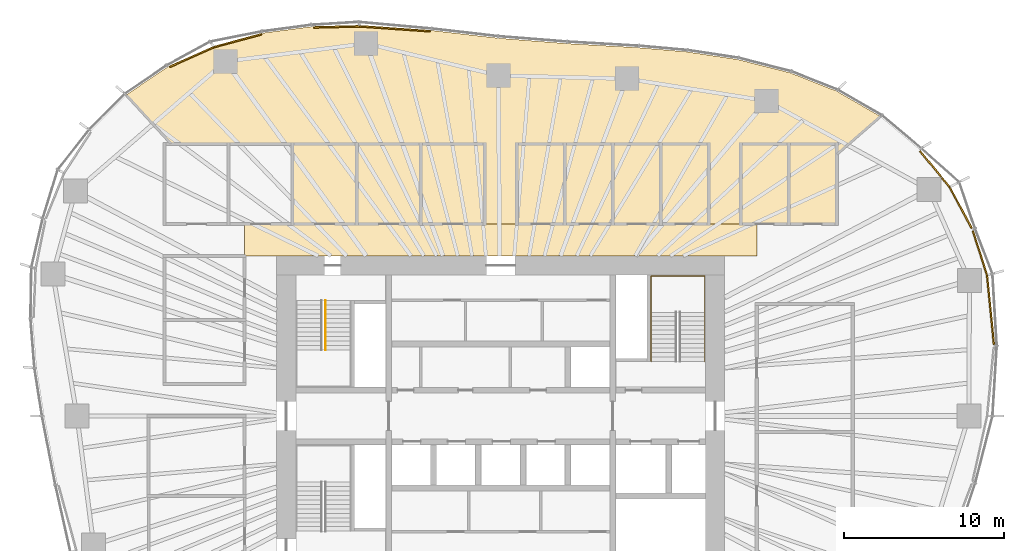
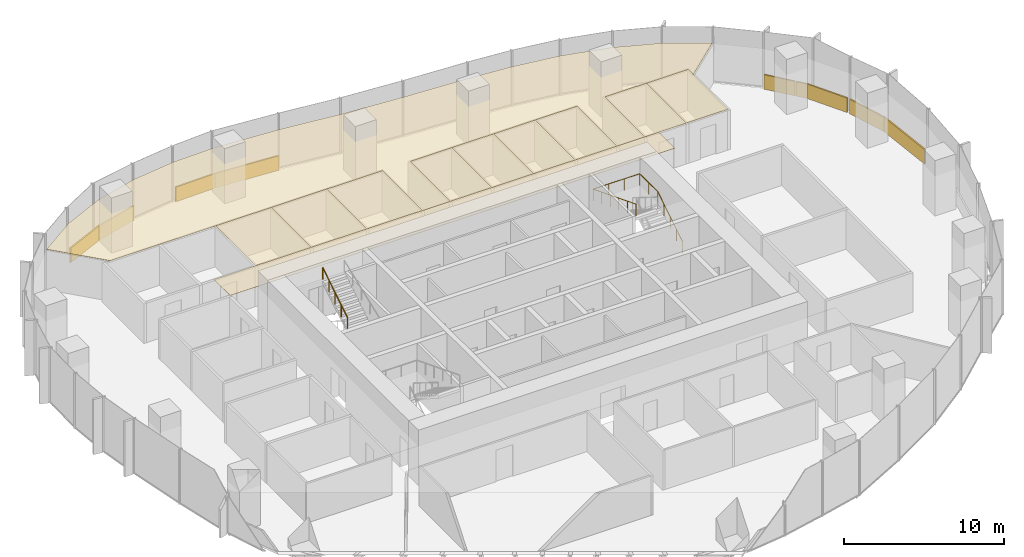
# One storey, part 18 of 18: 20 coverings, 2 railings.
"""IFC4 building model written with IfcOpenShell, lengths in metres."""

import ifcopenshell
import ifcopenshell.guid

model = None  # the IFC model being written
_history = None  # IfcOwnerHistory: only IFC2X3 demands one
_inside = {}  # id of a spatial element -> (the spatial element, [elements in it])
_under = {}  # id of a project, library or spatial element -> (it, [spatial elements below it])
_declared = {}  # id of a project -> (the project, [libraries it declares])
_typed = {}  # id of a type object -> (the type object, [elements of that type])
_made_of = {}  # id of a material, layer set ... -> (it, [elements and type objects made of it])


def new_model(schema):
    """Start an empty IFC model of exactly this schema.

    Asked for "IFC4X3", IfcOpenShell would pick the latest addendum, in which some entities
    have other attributes; the version numbers below select the first issue.
    IFC2X3 requires an IfcOwnerHistory on every rooted entity: one is made here for all.
    """
    global model, _history
    if schema == "IFC4X3":
        model = ifcopenshell.file(schema_version=(4, 3, 0, 0))
    else:
        model = ifcopenshell.file(schema=schema)
    _inside.clear()
    _under.clear()
    _declared.clear()
    _typed.clear()
    _made_of.clear()
    _history = None
    if model.schema == "IFC2X3":
        org = make("IfcOrganization", Name="unknown")
        user = make(
            "IfcPersonAndOrganization",
            ThePerson=make("IfcPerson", FamilyName="unknown"),
            TheOrganization=org,
        )
        app = make(
            "IfcApplication",
            ApplicationDeveloper=org,
            Version="unknown",
            ApplicationFullName="unknown",
            ApplicationIdentifier="unknown",
        )
        _history = make(
            "IfcOwnerHistory",
            OwningUser=user,
            OwningApplication=app,
            ChangeAction="ADDED",
            CreationDate=0,
        )
    return model


def make(cls, **values):
    """One entity of the class cls with the attributes given. An attribute that is None is left unset."""
    return model.create_entity(
        cls, **{name: value for name, value in values.items() if value is not None}
    )


def rooted(cls, **values):
    """An entity with a GlobalId (a new one), such as an element, a storey or a relation."""
    return make(cls, GlobalId=ifcopenshell.guid.new(), OwnerHistory=_history, **values)


def si_unit(unit_type, name, prefix=None):
    """IfcSIUnit, for example si_unit("LENGTHUNIT", "METRE", prefix="MILLI")."""
    return make("IfcSIUnit", UnitType=unit_type, Prefix=prefix, Name=name)


def assignment(units):
    """IfcUnitAssignment: the units of a project."""
    return None if units is None else make("IfcUnitAssignment", Units=units)


def point(xyz):
    """IfcCartesianPoint."""
    return None if xyz is None else make("IfcCartesianPoint", Coordinates=xyz)


def direction(xyz):
    """IfcDirection."""
    return None if xyz is None else make("IfcDirection", DirectionRatios=xyz)


def frame(location, z_axis=None, x_axis=None):
    """IfcAxis2Placement3D, a coordinate frame: its origin and axes. An axis left out is left unset."""
    return make(
        "IfcAxis2Placement3D",
        Location=point(location),
        Axis=direction(z_axis),
        RefDirection=direction(x_axis),
    )


def frame_2d(location, x_axis=None):
    """IfcAxis2Placement2D, a coordinate frame in the plane: its origin and x axis."""
    return make(
        "IfcAxis2Placement2D", Location=point(location), RefDirection=direction(x_axis)
    )


def origin():
    """The frame at (0, 0, 0) with its axes left unset."""
    return frame((0.0, 0.0, 0.0))


def origin_2d():
    """The frame at (0, 0) in the plane with its x axis left unset."""
    return frame_2d((0.0, 0.0))


def place(relative_to, where):
    """IfcLocalPlacement: puts the frame where relative to a parent placement (None: the world)."""
    return make(
        "IfcLocalPlacement", PlacementRelTo=relative_to, RelativePlacement=where
    )


def context(
    kind, dimensions, precision=None, world=None, true_north=None, identifier=None
):
    """IfcGeometricRepresentationContext, for example the 3D "Model" context."""
    return make(
        "IfcGeometricRepresentationContext",
        ContextIdentifier=identifier,
        ContextType=kind,
        CoordinateSpaceDimension=dimensions,
        Precision=precision,
        WorldCoordinateSystem=world,
        TrueNorth=true_north,
    )


def subcontext(parent, identifier, kind, view, scale=None):
    """IfcGeometricRepresentationSubContext, for example "Body" below "Model"."""
    return make(
        "IfcGeometricRepresentationSubContext",
        ContextIdentifier=identifier,
        ContextType=kind,
        ParentContext=parent,
        TargetScale=scale,
        TargetView=view,
    )


def project(units=None, contexts=None):
    """IfcProject with its units and contexts."""
    return rooted(
        "IfcProject",
        Name="project",
        RepresentationContexts=contexts,
        UnitsInContext=assignment(units),
    )


def spatial(cls, under=None, at=None, **own):
    """A site, building, storey or space (cls), placed at a placement, below another one or the project."""
    s = rooted(cls, ObjectPlacement=at, **own)
    if under is not None:
        _under.setdefault(under.id(), (under, []))[1].append(s)
    return s


def polyline(points):
    """IfcPolyline through the points."""
    return make("IfcPolyline", Points=[point(p) for p in points])


def profile(cls, at=None, kind="AREA", **sizes):
    """A parametric profile (cls). Its sizes go by their IFC names, for example OverallWidth=200.0."""
    return make(cls, ProfileType=kind, Position=at, **sizes)


def rectangle(**sizes):
    """IfcRectangleProfileDef."""
    return profile("IfcRectangleProfileDef", **sizes)


def circle(**sizes):
    """IfcCircleProfileDef."""
    return profile("IfcCircleProfileDef", **sizes)


def outline(outer, holes=None, kind="AREA"):
    """IfcArbitraryClosedProfileDef: a profile drawn as a closed curve; with holes, ...WithVoids."""
    if holes is None:
        return make("IfcArbitraryClosedProfileDef", ProfileType=kind, OuterCurve=outer)
    return make(
        "IfcArbitraryProfileDefWithVoids",
        ProfileType=kind,
        OuterCurve=outer,
        InnerCurves=holes,
    )


def extrude(swept, where, along, depth):
    """IfcExtrudedAreaSolid: the profile swept, set in the frame where, extruded along a direction by depth."""
    return make(
        "IfcExtrudedAreaSolid",
        SweptArea=swept,
        Position=where,
        ExtrudedDirection=direction(along),
        Depth=depth,
    )


def shape(context_of_items, identifier, shape_type, items):
    """IfcShapeRepresentation: the items that make up one representation, for example the "Body"."""
    return make(
        "IfcShapeRepresentation",
        ContextOfItems=context_of_items,
        RepresentationIdentifier=identifier,
        RepresentationType=shape_type,
        Items=items,
    )


def material(Name=None, Category=None):
    """IfcMaterial."""
    return make("IfcMaterial", Name=Name, Category=Category)


def layer(
    of_material, thickness, ventilated=None, Name=None, Category=None, Priority=None
):
    """IfcMaterialLayer: one layer of a wall or slab, of a material (None: an air gap)."""
    return make(
        "IfcMaterialLayer",
        Material=of_material,
        LayerThickness=thickness,
        IsVentilated=ventilated,
        Name=Name,
        Category=Category,
        Priority=Priority,
    )


def layer_set(layers, Name=None):
    """IfcMaterialLayerSet."""
    return make("IfcMaterialLayerSet", MaterialLayers=layers, LayerSetName=Name)


def made_of(thing, what):
    """Note that an element or type object is made of a material, layer set ...; save() writes the relation."""
    if what is not None:
        _made_of.setdefault(what.id(), (what, []))[1].append(thing)
    return thing


def type_object(cls, material=None, **own):
    """A type object (cls), such as IfcWallType, which elements share."""
    return made_of(rooted(cls, **own), material)


def element(
    cls,
    number,
    at=None,
    inside=None,
    cuts=None,
    type_object=None,
    material=None,
    context=None,
    identifier="Body",
    shape_type=None,
    held_by="IfcProductDefinitionShape",
    body=None,
    shapes=None,
    **own,
):
    """One element of the class cls, such as IfcWall. Its Tag is "e" and its number.

    at: its placement. inside: the storey or other place that contains it. cuts: it is an
    opening in that element (IfcRelVoidsElement). A single representation is given by context,
    identifier, shape_type and body (its items); several are given by shapes. held_by: the class
    of the entity that holds the representations. save() writes the other relations.
    """
    e = rooted(cls, Tag="e%d" % number, ObjectPlacement=at, **own)
    if body is not None:
        shapes = [shape(context, identifier, shape_type, body)]
    if shapes is not None:
        e.Representation = make(held_by, Representations=shapes)
    if inside is not None:
        _inside.setdefault(inside.id(), (inside, []))[1].append(e)
    if cuts is not None:
        rooted(
            "IfcRelVoidsElement", RelatingBuildingElement=cuts, RelatedOpeningElement=e
        )
    if type_object is not None:
        _typed.setdefault(type_object.id(), (type_object, []))[1].append(e)
    return made_of(e, material)


def aggregate(whole, parts):
    """IfcRelAggregates: a whole, such as a stair, and the parts it consists of."""
    return rooted("IfcRelAggregates", RelatingObject=whole, RelatedObjects=parts)


def save(model, path):
    """Write the relations noted so far, then the file.

    IfcRelAggregates (storeys below a building ...), IfcRelContainedInSpatialStructure (elements
    in a storey), IfcRelDefinesByType, IfcRelAssociatesMaterial and IfcRelDeclares: one each for
    every whole, place, type object, material and project.
    """
    for whole, parts in _under.values():
        aggregate(whole, parts)
    for where, things in _inside.values():
        rooted(
            "IfcRelContainedInSpatialStructure",
            RelatedElements=things,
            RelatingStructure=where,
        )
    for kind, things in _typed.values():
        rooted("IfcRelDefinesByType", RelatedObjects=things, RelatingType=kind)
    for what, things in _made_of.values():
        rooted("IfcRelAssociatesMaterial", RelatedObjects=things, RelatingMaterial=what)
    for by, libraries in _declared.values():
        rooted("IfcRelDeclares", RelatingContext=by, RelatedDefinitions=libraries)
    model.write(path)


model = new_model("IFC4")

# Units and contexts
model_context = context("Model", 3, precision=1e-05, world=origin(), true_north=direction((0.0, 1.0)))
body_context = subcontext(model_context, "Body", "Model", "MODEL_VIEW")
ifc_project = project(units=[si_unit("LENGTHUNIT", "METRE"), si_unit("AREAUNIT", "SQUARE_METRE"), si_unit("VOLUMEUNIT", "CUBIC_METRE"), si_unit("PLANEANGLEUNIT", "RADIAN"), si_unit("MASSUNIT", "GRAM", prefix="KILO")], contexts=[model_context])

# Site, building, storey
site_placement = place(None, origin())
site = spatial("IfcSite", under=ifc_project, at=site_placement, CompositionType="ELEMENT")
building_placement = place(site_placement, origin())
building = spatial("IfcBuilding", under=site, at=building_placement, Name="Ghaith Harvest Tower", CompositionType="ELEMENT")
storey_placement = place(building_placement, frame((0.0, 0.0, 142.800048828125)))
storey = spatial("IfcBuildingStorey", under=building, at=storey_placement, Name="L30", CompositionType="ELEMENT", Elevation=142.800048828125)

# Coverings
ifc_material_1 = material(Name="Mineral fibre ceiling tile", Category="gypsum")
ifc_layer_1 = layer(ifc_material_1, 0.02001953125)
ifc_layer_set_1 = layer_set([ifc_layer_1], Name="CEILING C1")
covering_type_1 = type_object("IfcCoveringType", Name="CEILING C1", PredefinedType="CEILING", material=ifc_layer_set_1)
covering_1_placement = place(storey_placement, frame((0.0, 0.0, 3.0)))
element("IfcCovering", 1, at=covering_1_placement, inside=storey, type_object=covering_type_1, Name="Ceiling L30-06", PredefinedType="CEILING", context=body_context, shape_type="SweptSolid", body=[
    extrude(outline(polyline([(-13.0, 12.0), (-9.0, 12.0), (-9.0, 17.0), (-13.0, 17.0), (-13.0, 12.0)])), origin(), (0.0, 0.0, 1.0), 0.02001953125),
])
covering_2_placement = place(storey_placement, frame((0.0, 0.0, 3.0)))
element("IfcCovering", 2, at=covering_2_placement, inside=storey, type_object=covering_type_1, Name="Ceiling L30-07", PredefinedType="CEILING", context=body_context, shape_type="SweptSolid", body=[
    extrude(outline(polyline([(-9.0, 12.0), (-5.0, 12.0), (-5.0, 17.0), (-9.0, 17.0), (-9.0, 12.0)])), origin(), (0.0, 0.0, 1.0), 0.02001953125),
])
covering_3_placement = place(storey_placement, frame((0.0, 0.0, 3.0)))
element("IfcCovering", 3, at=covering_3_placement, inside=storey, type_object=covering_type_1, Name="Ceiling L30-08", PredefinedType="CEILING", context=body_context, shape_type="SweptSolid", body=[
    extrude(outline(polyline([(-5.0, 12.0), (-1.0, 12.0), (-1.0, 17.0), (-5.0, 17.0), (-5.0, 12.0)])), origin(), (0.0, 0.0, 1.0), 0.02001953125),
])
covering_4_placement = place(storey_placement, frame((0.0, 0.0, 3.0)))
element("IfcCovering", 4, at=covering_4_placement, inside=storey, type_object=covering_type_1, Name="Ceiling L30-09", PredefinedType="CEILING", context=body_context, shape_type="SweptSolid", body=[
    extrude(outline(polyline([(1.0, 12.0), (4.0, 12.0), (4.0, 17.0), (1.0, 17.0), (1.0, 12.0)])), origin(), (0.0, 0.0, 1.0), 0.02001953125),
])
covering_5_placement = place(storey_placement, frame((0.0, 0.0, 3.0)))
element("IfcCovering", 5, at=covering_5_placement, inside=storey, type_object=covering_type_1, Name="Ceiling L30-10", PredefinedType="CEILING", context=body_context, shape_type="SweptSolid", body=[
    extrude(outline(polyline([(4.0, 12.0), (7.0, 12.0), (7.0, 17.0), (4.0, 17.0), (4.0, 12.0)])), origin(), (0.0, 0.0, 1.0), 0.02001953125),
])
covering_6_placement = place(storey_placement, frame((0.0, 0.0, 3.0)))
element("IfcCovering", 6, at=covering_6_placement, inside=storey, type_object=covering_type_1, Name="Ceiling L30-11", PredefinedType="CEILING", context=body_context, shape_type="SweptSolid", body=[
    extrude(outline(polyline([(7.0, 12.0), (10.0, 12.0), (10.0, 17.0), (7.0, 17.0), (7.0, 12.0)])), origin(), (0.0, 0.0, 1.0), 0.02001953125),
])
covering_7_placement = place(storey_placement, frame((0.0, 0.0, 3.0)))
element("IfcCovering", 7, at=covering_7_placement, inside=storey, type_object=covering_type_1, Name="Ceiling L30-12", PredefinedType="CEILING", context=body_context, shape_type="SweptSolid", body=[
    extrude(outline(polyline([(10.0, 12.0), (13.0, 12.0), (13.0, 17.0), (10.0, 17.0), (10.0, 12.0)])), origin(), (0.0, 0.0, 1.0), 0.02001953125),
])
covering_8_placement = place(storey_placement, frame((0.0, 0.0, 3.0)))
element("IfcCovering", 8, at=covering_8_placement, inside=storey, type_object=covering_type_1, Name="Ceiling L30-17", PredefinedType="CEILING", context=body_context, shape_type="SweptSolid", body=[
    extrude(outline(polyline([(15.0, 12.0), (18.0, 12.0), (18.0, 17.0), (15.0, 17.0), (15.0, 12.0)])), origin(), (0.0, 0.0, 1.0), 0.02001953125),
])
covering_9_placement = place(storey_placement, frame((0.0, 0.0, 3.0)))
element("IfcCovering", 9, at=covering_9_placement, inside=storey, type_object=covering_type_1, Name="Ceiling L30-18", PredefinedType="CEILING", context=body_context, shape_type="SweptSolid", body=[
    extrude(outline(polyline([(18.0, 12.0), (21.0, 12.0), (21.0, 17.0), (18.0, 17.0), (18.0, 12.0)])), origin(), (0.0, 0.0, 1.0), 0.02001953125),
])
covering_10_placement = place(storey_placement, frame((0.0, 0.0, 3.0)))
element("IfcCovering", 10, at=covering_10_placement, inside=storey, type_object=covering_type_1, Name="Ceiling L30-C1", PredefinedType="CEILING", context=body_context, shape_type="SweptSolid", body=[
    extrude(outline(polyline([(16.0, 10.0), (-16.0, 10.0), (-16.0, 12.0), (16.0, 12.0), (16.0, 10.0)])), origin(), (0.0, 0.0, 1.0), 0.02001953125),
])
covering_11_placement = place(storey_placement, frame((0.0, 0.0, 3.0)))
element("IfcCovering", 11, at=covering_11_placement, inside=storey, type_object=covering_type_1, Name="Ceiling L30-N1", PredefinedType="CEILING", context=body_context, shape_type="SweptSolid", body=[
    extrude(outline(polyline([(-20.79248046875, 21.82470703125), (-17.938232421875, 23.097412109375), (-14.860595703125, 23.927978515625), (-11.788818359375, 24.331787109375), (-8.814208984375, 24.404541015625), (-4.302001953125, 24.089111328125), (-0.16162109375, 23.609619140625), (4.125732421875, 23.272705078125), (8.604736328125, 23.017333984375), (11.617919921875, 22.757080078125), (14.79833984375, 22.27978515625), (18.0849609375, 21.4462890625), (20.97998046875, 20.3056640625), (23.7275390625, 18.718017578125), (21.0, 16.3466796875), (21.0, 17.0), (15.0, 17.0), (15.0, 12.0), (13.0, 12.0), (13.0, 17.0), (1.0, 17.0), (1.0, 12.0), (-1.0, 12.0), (-1.0, 17.0), (-20.5888671875, 17.0), (-23.398193359375, 20.06103515625), (-20.79248046875, 21.82470703125)])), origin(), (0.0, 0.0, 1.0), 0.02001953125),
])

# Railings
ifc_material_2 = material(Name="Steel, black powder-coated", Category="steel")
railing_type = type_object("IfcRailingType", Name="HANDRAIL HR1", PredefinedType="HANDRAIL", material=ifc_material_2)
railing_1_placement = place(storey_placement, frame((-10.949951171875, 4.1201171875, 2.27490234375)))
element("IfcRailing", 12, at=railing_1_placement, inside=storey, type_object=railing_type, Name="Handrail HR1 stair ST1 L30 flight 2 inner", PredefinedType="HANDRAIL", context=body_context, shape_type="SweptSolid", body=[
    extrude(circle(Radius=0.02392578125, at=origin_2d()), frame((0.0, 0.0, 0.8759765625), z_axis=(0.0, 0.847979421464, 0.530029150871), x_axis=(-1.0, 0.0, 0.0)), (0.0, 0.0, 1.0), 3.632080078125),
    extrude(circle(Radius=0.02099609375, at=origin_2d()), origin(), (0.0, 0.0, 1.0), 0.851806640625),
    extrude(circle(Radius=0.02099609375, at=origin_2d()), frame((0.0, 0.77001953125, 0.481201171875)), (0.0, 0.0, 1.0), 0.851806640625),
    extrude(circle(Radius=0.02099609375, at=origin_2d()), frame((0.0, 1.5400390625, 0.96240234375)), (0.0, 0.0, 1.0), 0.851806640625),
    extrude(circle(Radius=0.02099609375, at=origin_2d()), frame((0.0, 2.309814453125, 1.44384765625)), (0.0, 0.0, 1.0), 0.851806640625),
    extrude(circle(Radius=0.02099609375, at=origin_2d()), frame((0.0, 3.079833984375, 1.925048828125)), (0.0, 0.0, 1.0), 0.851806640625),
])
railing_2_placement = place(storey_placement, frame((12.75, 3.39990234375, 0.175048828125)))
element("IfcRailing", 13, at=railing_2_placement, inside=storey, type_object=railing_type, Name="Handrail HR1 stair ST2 L30 wall side", PredefinedType="HANDRAIL", context=body_context, shape_type="SweptSolid", body=[
    extrude(circle(Radius=0.02392578125, at=origin_2d()), frame((0.0, 0.0, 0.8759765625), z_axis=(0.0, 0.848028513186, 0.529950602248), x_axis=(-1.0, 0.0, 0.0)), (0.0, 0.0, 1.0), 3.632080078125),
    extrude(circle(Radius=0.02392578125, at=origin_2d()), frame((0.0, 3.080078125, 2.80078125), z_axis=(0.0, 1.0, 0.0), x_axis=(-1.0, 0.0, 0.0)), (0.0, 0.0, 1.0), 2.27001953125),
    extrude(circle(Radius=0.02392578125, at=origin_2d()), frame((0.0, 5.35009765625, 2.80078125), z_axis=(-1.0, 0.0, 0.0), x_axis=(0.0, -1.0, 0.0)), (0.0, 0.0, 1.0), 3.35009765625),
    extrude(circle(Radius=0.02392578125, at=origin_2d()), frame((-3.35009765625, 5.35009765625, 2.80078125), z_axis=(0.0, -0.930853684876, 0.365392141887), x_axis=(1.0, 0.0, 0.0)), (0.0, 0.0, 1.0), 5.74755859375),
    extrude(circle(Radius=0.02099609375, at=origin_2d()), origin(), (0.0, 0.0, 1.0), 0.851806640625),
    extrude(circle(Radius=0.02099609375, at=origin_2d()), frame((0.0, 0.77001953125, 0.481201171875)), (0.0, 0.0, 1.0), 0.851806640625),
    extrude(circle(Radius=0.02099609375, at=origin_2d()), frame((0.0, 1.5400390625, 0.96240234375)), (0.0, 0.0, 1.0), 0.851806640625),
    extrude(circle(Radius=0.02099609375, at=origin_2d()), frame((0.0, 2.31005859375, 1.443603515625)), (0.0, 0.0, 1.0), 0.851806640625),
    extrude(circle(Radius=0.02099609375, at=origin_2d()), frame((0.0, 3.080078125, 1.9248046875)), (0.0, 0.0, 1.0), 0.851806640625),
    extrude(circle(Radius=0.02099609375, at=origin_2d()), frame((0.0, 4.215087890625, 1.9248046875)), (0.0, 0.0, 1.0), 0.851806640625),
    extrude(circle(Radius=0.02099609375, at=origin_2d()), frame((0.0, 5.35009765625, 1.9248046875)), (0.0, 0.0, 1.0), 0.851806640625),
    extrude(circle(Radius=0.02099609375, at=origin_2d()), frame((-1.11669921875, 5.35009765625, 1.9248046875)), (0.0, 0.0, 1.0), 0.851806640625),
    extrude(circle(Radius=0.02099609375, at=origin_2d()), frame((-2.2333984375, 5.35009765625, 1.9248046875)), (0.0, 0.0, 1.0), 0.851806640625),
    extrude(circle(Radius=0.02099609375, at=origin_2d()), frame((-3.35009765625, 5.35009765625, 1.9248046875)), (0.0, 0.0, 1.0), 0.851806640625),
    extrude(circle(Radius=0.02099609375, at=origin_2d()), frame((-3.35009765625, 4.280029296875, 2.3447265625)), (0.0, 0.0, 1.0), 0.851806640625),
    extrude(circle(Radius=0.02099609375, at=origin_2d()), frame((-3.35009765625, 3.2099609375, 2.764892578125)), (0.0, 0.0, 1.0), 0.851806640625),
    extrude(circle(Radius=0.02099609375, at=origin_2d()), frame((-3.35009765625, 2.14013671875, 3.184814453125)), (0.0, 0.0, 1.0), 0.851806640625),
    extrude(circle(Radius=0.02099609375, at=origin_2d()), frame((-3.35009765625, 1.070068359375, 3.60498046875)), (0.0, 0.0, 1.0), 0.851806640625),
    extrude(circle(Radius=0.02099609375, at=origin_2d()), frame((-3.35009765625, 0.0, 4.02490234375)), (0.0, 0.0, 1.0), 0.851806640625),
])

# Coverings
ifc_material_3 = material(Name="Insulated aluminium spandrel panel on steel framing", Category="steel")
ifc_layer_2 = layer(ifc_material_3, 0.10009765625)
ifc_layer_set_2 = layer_set([ifc_layer_2], Name="SLAB EDGE UPSTAND 1100x100")
covering_type_2 = type_object("IfcCoveringType", Name="SLAB EDGE UPSTAND 1100x100", PredefinedType="CLADDING", material=ifc_layer_set_2)
covering_12_placement = place(storey_placement, frame((30.604736328125, 6.630126953125, 0.0), z_axis=(0.0, 0.0, 1.0), x_axis=(-0.099131765681, 0.995074315332, 0.0)))
element("IfcCovering", 14, at=covering_12_placement, inside=storey, type_object=covering_type_2, Name="Slab edge upstand 2 bay 01 L30", PredefinedType="CLADDING", context=body_context, shape_type="SweptSolid", body=[
    extrude(rectangle(XDim=4.346435546875, YDim=0.10009765625, at=origin_2d()), origin(), (0.0, 0.0, 1.0), 1.10009765625),
])
covering_13_placement = place(storey_placement, frame((29.948486328125, 10.171875, 0.0), z_axis=(0.0, 0.0, 1.0), x_axis=(-0.303716894855, 0.952762324916, 0.0)))
element("IfcCovering", 15, at=covering_13_placement, inside=storey, type_object=covering_type_2, Name="Slab edge upstand 1 bay 02 L30", PredefinedType="CLADDING", context=body_context, shape_type="SweptSolid", body=[
    extrude(rectangle(XDim=2.916748046875, YDim=0.10009765625, at=origin_2d()), origin(), (0.0, 0.0, 1.0), 1.10009765625),
])
covering_14_placement = place(storey_placement, frame((28.738037109375, 13.018798828125, 0.0), z_axis=(0.0, 0.0, 1.0), x_axis=(-0.475408661811, 0.87976508471, 0.0)))
element("IfcCovering", 16, at=covering_14_placement, inside=storey, type_object=covering_type_2, Name="Slab edge upstand 2 bay 02 L30", PredefinedType="CLADDING", context=body_context, shape_type="SweptSolid", body=[
    extrude(rectangle(XDim=2.91650390625, YDim=0.10009765625, at=origin_2d()), origin(), (0.0, 0.0, 1.0), 1.10009765625),
])
covering_15_placement = place(storey_placement, frame((27.806396484375, 14.592041015625, 0.0), z_axis=(0.0, 0.0, 1.0), x_axis=(-0.632969558548, 0.774176683937, 0.0)))
element("IfcCovering", 17, at=covering_15_placement, inside=storey, type_object=covering_type_2, Name="Slab edge upstand 3 bay 02 L30", PredefinedType="CLADDING", context=body_context, shape_type="SweptSolid", body=[
    extrude(rectangle(XDim=0.77001953125, YDim=0.10009765625, at=origin_2d()), origin(), (0.0, 0.0, 1.0), 1.10009765625),
])
covering_16_placement = place(storey_placement, frame((26.863525390625, 15.7451171875, 0.0), z_axis=(0.0, 0.0, 1.0), x_axis=(-0.632969558548, 0.774176683937, 0.0)))
element("IfcCovering", 18, at=covering_16_placement, inside=storey, type_object=covering_type_2, Name="Slab edge upstand 3 bay 02 L30", PredefinedType="CLADDING", context=body_context, shape_type="SweptSolid", body=[
    extrude(rectangle(XDim=2.083740234375, YDim=0.10009765625, at=origin_2d()), origin(), (0.0, 0.0, 1.0), 1.10009765625),
])
covering_17_placement = place(storey_placement, frame((-6.611572265625, 24.200439453125, 0.0), z_axis=(0.0, 0.0, 1.0), x_axis=(-0.997566199698, 0.069725728542, 0.0)))
element("IfcCovering", 19, at=covering_17_placement, inside=storey, type_object=covering_type_2, Name="Slab edge upstand 2 bay 06 L30", PredefinedType="CLADDING", context=body_context, shape_type="SweptSolid", body=[
    extrude(rectangle(XDim=4.42333984375, YDim=0.10009765625, at=origin_2d()), origin(), (0.0, 0.0, 1.0), 1.10009765625),
])
covering_18_placement = place(storey_placement, frame((-10.25048828125, 24.3193359375, 0.0), z_axis=(0.0, 0.0, 1.0), x_axis=(-0.999700846757, -0.024458474865, 0.0)))
element("IfcCovering", 20, at=covering_18_placement, inside=storey, type_object=covering_type_2, Name="Slab edge upstand 1 bay 07 L30", PredefinedType="CLADDING", context=body_context, shape_type="SweptSolid", body=[
    extrude(rectangle(XDim=2.87548828125, YDim=0.10009765625, at=origin_2d()), origin(), (0.0, 0.0, 1.0), 1.10009765625),
])
covering_19_placement = place(storey_placement, frame((-16.4345703125, 23.451416015625, 0.0), z_axis=(0.0, 0.0, 1.0), x_axis=(-0.965455035926, -0.260569709685, 0.0)))
element("IfcCovering", 21, at=covering_19_placement, inside=storey, type_object=covering_type_2, Name="Slab edge upstand 3 bay 07 L30", PredefinedType="CLADDING", context=body_context, shape_type="SweptSolid", body=[
    extrude(rectangle(XDim=3.087890625, YDim=0.10009765625, at=origin_2d()), origin(), (0.0, 0.0, 1.0), 1.10009765625),
])
covering_20_placement = place(storey_placement, frame((-19.29931640625, 22.435791015625, 0.0), z_axis=(0.0, 0.0, 1.0), x_axis=(-0.913334621001, -0.40720986, 0.0)))
element("IfcCovering", 22, at=covering_20_placement, inside=storey, type_object=covering_type_2, Name="Slab edge upstand 1 bay 08 L30", PredefinedType="CLADDING", context=body_context, shape_type="SweptSolid", body=[
    extrude(rectangle(XDim=3.025146484375, YDim=0.10009765625, at=origin_2d()), origin(), (0.0, 0.0, 1.0), 1.10009765625),
])

save(model, "model.ifc")
